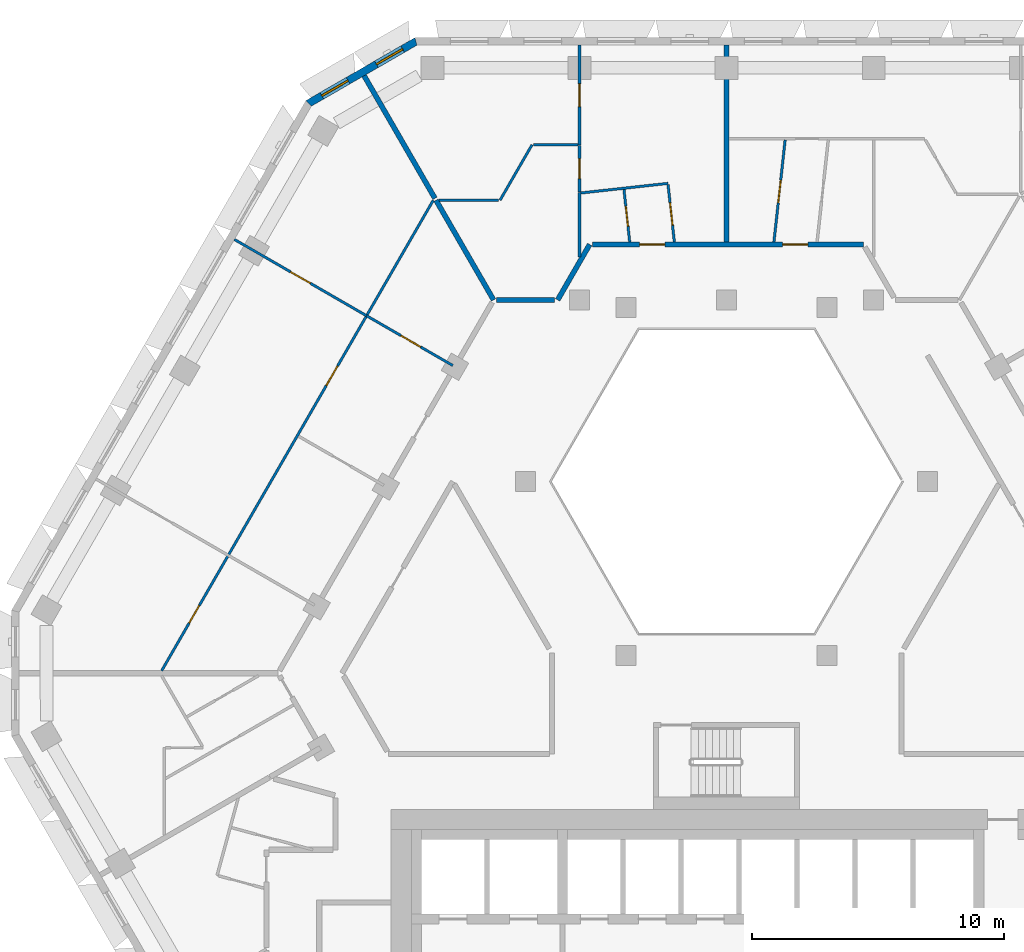
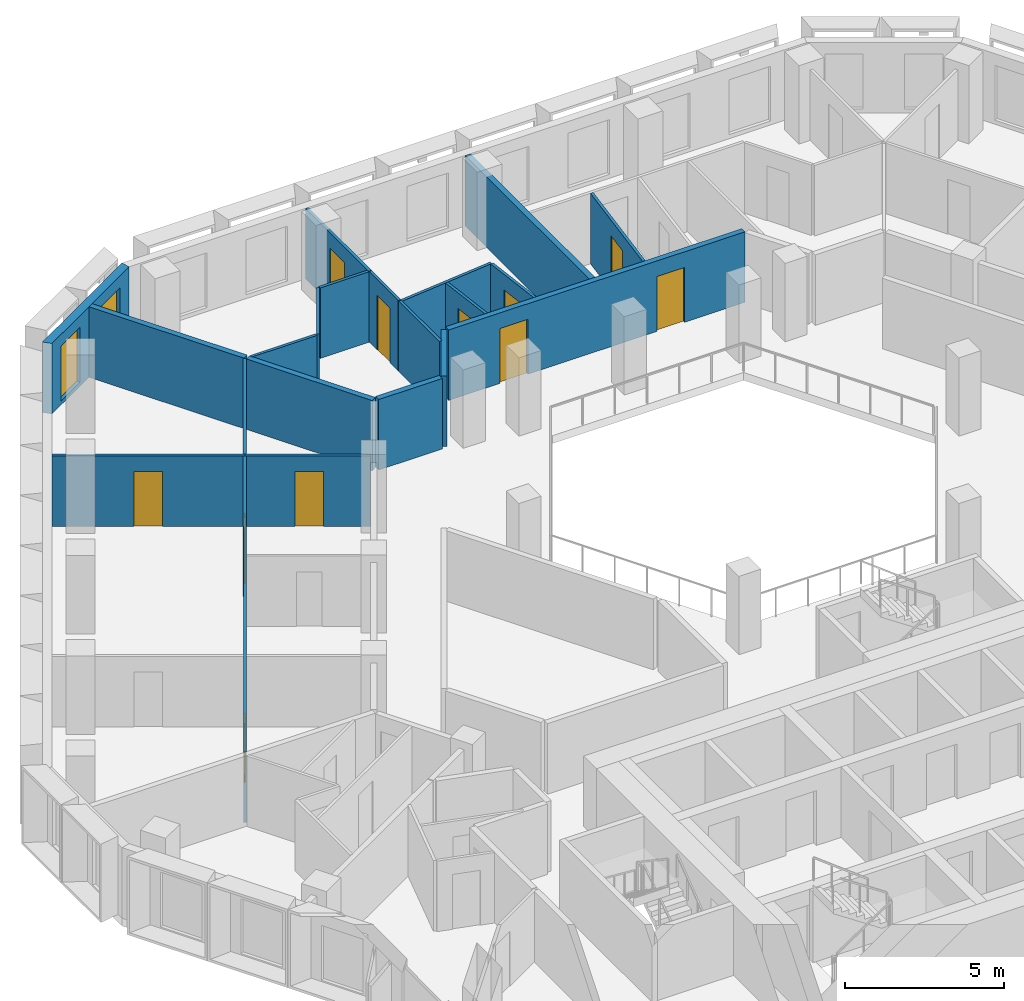
# One storey, part 8 of 18: 20 walls, 11 doors, 2 windows, 13 openings.
"""IFC4 building model written with IfcOpenShell, lengths in metres."""

from ifc_helpers import new_model, si_unit, direction, frame, frame_2d, origin, place, context, subcontext, project, spatial, polyline, rectangle, outline, extrude, material, layer, layer_set, type_object, element, fill, save


model = new_model("IFC4")

# Units and contexts
model_context = context("Model", 3, precision=1e-05, world=origin(), true_north=direction((0.0, 1.0)))
body_context = subcontext(model_context, "Body", "Model", "MODEL_VIEW")
ifc_project = project(units=[si_unit("LENGTHUNIT", "METRE"), si_unit("AREAUNIT", "SQUARE_METRE"), si_unit("VOLUMEUNIT", "CUBIC_METRE"), si_unit("PLANEANGLEUNIT", "RADIAN"), si_unit("MASSUNIT", "GRAM", prefix="KILO")], contexts=[model_context])

# Site, building, storey
site_placement = place(None, origin())
site = spatial("IfcSite", under=ifc_project, at=site_placement, CompositionType="ELEMENT")
building_placement = place(site_placement, origin())
building = spatial("IfcBuilding", under=site, at=building_placement, Name="Beryl Residences", CompositionType="ELEMENT")
storey_placement = place(building_placement, frame((0.0, 0.0, 138.60009765625)))
storey = spatial("IfcBuildingStorey", under=building, at=storey_placement, Name="L42", CompositionType="ELEMENT", Elevation=138.60009765625)

# Wall, openings, windows
ifc_material_1 = material(Name="Composite metal panel with mineral wool insulation")
ifc_layer_1 = layer(ifc_material_1, 0.300048828125)
ifc_layer_set_1 = layer_set([ifc_layer_1], Name="ES1 pale metal composite panel wall 300 mm")
wall_type_1 = type_object("IfcWallType", Name="ES1 pale metal composite panel wall 300 mm", PredefinedType="SOLIDWALL", material=ifc_layer_set_1)
wall_1_placement = place(storey_placement, frame((-12.280029296875, 25.469970703125, 0.0), z_axis=(0.0, 0.0, 1.0), x_axis=(-0.866022959057, -0.500004234368, 0.0)))
wall_1 = element("IfcWall", 1, at=wall_1_placement, inside=storey, type_object=wall_type_1, Name="ES1 external wall L42 N-NW", PredefinedType="SOLIDWALL", context=body_context, shape_type="SweptSolid", body=[
    extrude(outline(polyline([(0.0, -0.14990234375), (5.0, -0.14990234375), (4.919677734375, 0.14990234375), (0.080322265625, 0.14990234375), (0.0, -0.14990234375)])), origin(), (0.0, 0.0, 1.0), 2.699951171875),
])
opening_1_placement = place(wall_1_placement, frame((0.64990234375, 0.0, 0.14990234375)))
opening_1 = element("IfcOpeningElement", 2, at=opening_1_placement, cuts=wall_1, Name="Opening W2", PredefinedType="OPENING", context=body_context, shape_type="SweptSolid", body=[
    extrude(rectangle(XDim=1.199951171875, YDim=2.10009765625, at=frame_2d((0.60009765625, 1.050048828125))), frame((0.0, 0.159912109375, 0.0), z_axis=(0.0, -1.0, 0.0), x_axis=(1.0, 0.0, 0.0)), (0.0, 0.0, 1.0), 0.320068359375),
])
opening_2_placement = place(wall_1_placement, frame((3.14892578125, 0.0, 0.14990234375)))
opening_2 = element("IfcOpeningElement", 3, at=opening_2_placement, cuts=wall_1, Name="Opening W2", PredefinedType="OPENING", context=body_context, shape_type="SweptSolid", body=[
    extrude(rectangle(XDim=1.199951171875, YDim=2.10009765625, at=frame_2d((0.60009765625, 1.050048828125))), frame((0.0, 0.159912109375, 0.0), z_axis=(0.0, -1.0, 0.0), x_axis=(1.0, 0.0, 0.0)), (0.0, 0.0, 1.0), 0.320068359375),
])
ifc_material_2 = material(Name="Aluminium and clear glass", Category="aluminium")
window_type = type_object("IfcWindowType", Name="W2 chamfer window 1200 x 2100 mm", PartitioningType="SINGLE_PANEL", PredefinedType="WINDOW", material=ifc_material_2)
window_1_placement = place(opening_1_placement, origin())
window_1 = element("IfcWindow", 4, at=window_1_placement, inside=storey, type_object=window_type, Name="W2 window L42 N-NW 1", OverallHeight=2.10009765625, OverallWidth=1.199951171875, PartitioningType="SINGLE_PANEL", PredefinedType="WINDOW", context=body_context, shape_type="SweptSolid", body=[
    extrude(rectangle(XDim=1.199951171875, YDim=2.10009765625, at=frame_2d((0.60009765625, 1.050048828125))), frame((0.0, 0.030029296875, 0.0), z_axis=(0.0, -1.0, 0.0), x_axis=(1.0, 0.0, 0.0)), (0.0, 0.0, 1.0), 0.06005859375),
])
fill(opening_1, window_1)
window_2_placement = place(opening_2_placement, origin())
window_2 = element("IfcWindow", 5, at=window_2_placement, inside=storey, type_object=window_type, Name="W2 window L42 N-NW 2", OverallHeight=2.10009765625, OverallWidth=1.199951171875, PartitioningType="SINGLE_PANEL", PredefinedType="WINDOW", context=body_context, shape_type="SweptSolid", body=[
    extrude(rectangle(XDim=1.199951171875, YDim=2.10009765625, at=frame_2d((0.60009765625, 1.050048828125))), frame((0.0, 0.030029296875, 0.0), z_axis=(0.0, -1.0, 0.0), x_axis=(1.0, 0.0, 0.0)), (0.0, 0.0, 1.0), 0.06005859375),
])
fill(opening_2, window_2)

# Wall, opening, door
ifc_material_3 = material(Name="Gypsum board partition on steel studs", Category="steel")
ifc_layer_2 = layer(ifc_material_3, 0.10009765625)
ifc_layer_set_2 = layer_set([ifc_layer_2], Name="PT1 partition 100 mm gypsum board on steel studs")
wall_type_2 = type_object("IfcWallType", Name="PT1 partition 100 mm gypsum board on steel studs", PredefinedType="PARTITIONING", material=ifc_layer_set_2)
wall_2_placement = place(storey_placement, frame((-2.319091796875, 19.77001953125, 0.0), z_axis=(0.0, 0.0, 1.0), x_axis=(0.109046821538, -0.994036614372, 0.0)))
wall_2 = element("IfcWall", 6, at=wall_2_placement, inside=storey, type_object=wall_type_2, Name="Wall PT1 L42 005", PredefinedType="PARTITIONING", context=body_context, shape_type="SweptSolid", body=[
    extrude(rectangle(XDim=2.28369140625, YDim=0.10009765625, at=frame_2d((1.141845703125, 0.0))), origin(), (0.0, 0.0, 1.0), 2.699951171875),
])
opening_3_placement = place(wall_2_placement, frame((0.717041015625, 0.0, 0.0)))
opening_3 = element("IfcOpeningElement", 7, at=opening_3_placement, cuts=wall_2, Name="Opening D1139", PredefinedType="OPENING", context=body_context, shape_type="SweptSolid", body=[
    extrude(rectangle(XDim=0.89990234375, YDim=2.10009765625, at=frame_2d((0.449951171875, 1.050048828125))), frame((0.0, 0.06005859375, 0.0), z_axis=(0.0, -1.0, 0.0), x_axis=(1.0, 0.0, 0.0)), (0.0, 0.0, 1.0), 0.1201171875),
])
ifc_material_4 = material(Name="Timber door leaf", Category="wood")
door_type_1 = type_object("IfcDoorType", Name="D2 room door 900 x 2100 mm", OperationType="SINGLE_SWING_LEFT", PredefinedType="DOOR", material=ifc_material_4)
door_1_placement = place(opening_3_placement, origin())
door_1 = element("IfcDoor", 8, at=door_1_placement, inside=storey, type_object=door_type_1, Name="Door D1139 L42 001", OperationType="SINGLE_SWING_LEFT", OverallHeight=2.10009765625, OverallWidth=0.89990234375, PredefinedType="DOOR", context=body_context, shape_type="SweptSolid", body=[
    extrude(rectangle(XDim=0.89990234375, YDim=2.10009765625, at=frame_2d((0.449951171875, 1.050048828125))), frame((0.0, 0.02490234375, 0.0), z_axis=(0.0, -1.0, 0.0), x_axis=(1.0, 0.0, 0.0)), (0.0, 0.0, 1.0), 0.050048828125),
])
fill(opening_3, door_1)

wall_3_placement = place(storey_placement, frame((-4.068115234375, 19.5791015625, 0.0), z_axis=(0.0, 0.0, 1.0), x_axis=(0.109022161139, -0.994039319333, 0.0)))
wall_3 = element("IfcWall", 9, at=wall_3_placement, inside=storey, type_object=wall_type_2, Name="Wall PT1 L42 006", PredefinedType="PARTITIONING", context=body_context, shape_type="SweptSolid", body=[
    extrude(rectangle(XDim=2.091552734375, YDim=0.10009765625, at=frame_2d((1.0458984375, 0.0))), origin(), (0.0, 0.0, 1.0), 2.699951171875),
])
opening_4_placement = place(wall_3_placement, frame((0.6708984375, 0.0, 0.0)))
opening_4 = element("IfcOpeningElement", 10, at=opening_4_placement, cuts=wall_3, Name="Opening D1140", PredefinedType="OPENING", context=body_context, shape_type="SweptSolid", body=[
    extrude(rectangle(XDim=0.800048828125, YDim=2.10009765625, at=frame_2d((0.39990234375, 1.050048828125))), frame((0.0, 0.06005859375, 0.0), z_axis=(0.0, -1.0, 0.0), x_axis=(1.0, 0.0, 0.0)), (0.0, 0.0, 1.0), 0.1201171875),
])
ifc_material_5 = material(Name="Timber door leaf", Category="wood")
door_type_2 = type_object("IfcDoorType", Name="D3 bathroom door 800 x 2100 mm", OperationType="SINGLE_SWING_LEFT", PredefinedType="DOOR", material=ifc_material_5)
door_2_placement = place(opening_4_placement, origin())
door_2 = element("IfcDoor", 11, at=door_2_placement, inside=storey, type_object=door_type_2, Name="Door D1140 L42 001", OperationType="SINGLE_SWING_RIGHT", OverallHeight=2.10009765625, OverallWidth=0.800048828125, PredefinedType="DOOR", context=body_context, shape_type="SweptSolid", body=[
    extrude(rectangle(XDim=0.800048828125, YDim=2.10009765625, at=frame_2d((0.39990234375, 1.050048828125))), frame((0.0, 0.02490234375, 0.0), z_axis=(0.0, -1.0, 0.0), x_axis=(1.0, 0.0, 0.0)), (0.0, 0.0, 1.0), 0.050048828125),
])
fill(opening_4, door_2)

wall_4_placement = place(storey_placement, frame((-5.8310546875, 21.324951171875, 0.0), z_axis=(0.0, 0.0, 1.0), x_axis=(0.0, -1.0, 0.0)))
wall_4 = element("IfcWall", 12, at=wall_4_placement, inside=storey, type_object=wall_type_2, Name="Wall PT1 L42 007", PredefinedType="PARTITIONING", context=body_context, shape_type="SweptSolid", body=[
    extrude(rectangle(XDim=1.8388671875, YDim=0.10009765625, at=frame_2d((0.91943359375, 0.0))), origin(), (0.0, 0.0, 1.0), 2.699951171875),
])
opening_5_placement = place(wall_4_placement, frame((0.51904296875, 0.0, 0.0)))
opening_5 = element("IfcOpeningElement", 13, at=opening_5_placement, cuts=wall_4, Name="Opening D1142", PredefinedType="OPENING", context=body_context, shape_type="SweptSolid", body=[
    extrude(rectangle(XDim=0.800048828125, YDim=2.10009765625, at=frame_2d((0.39990234375, 1.050048828125))), frame((0.0, 0.06005859375, 0.0), z_axis=(0.0, -1.0, 0.0), x_axis=(1.0, 0.0, 0.0)), (0.0, 0.0, 1.0), 0.1201171875),
])
door_3_placement = place(opening_5_placement, origin())
door_3 = element("IfcDoor", 14, at=door_3_placement, inside=storey, type_object=door_type_2, Name="Door D1142 L42 001", OperationType="SINGLE_SWING_RIGHT", OverallHeight=2.10009765625, OverallWidth=0.800048828125, PredefinedType="DOOR", context=body_context, shape_type="SweptSolid", body=[
    extrude(rectangle(XDim=0.800048828125, YDim=2.10009765625, at=frame_2d((0.39990234375, 1.050048828125))), frame((0.0, 0.02490234375, 0.0), z_axis=(0.0, -1.0, 0.0), x_axis=(1.0, 0.0, 0.0)), (0.0, 0.0, 1.0), 0.050048828125),
])
fill(opening_5, door_3)

wall_5_placement = place(storey_placement, frame((-19.513916015625, 17.59912109375, 0.0), z_axis=(0.0, 0.0, 1.0), x_axis=(0.866007554612, -0.500030914399, 0.0)))
wall_5 = element("IfcWall", 15, at=wall_5_placement, inside=storey, type_object=wall_type_2, Name="Wall PT1 L42 017", PredefinedType="PARTITIONING", context=body_context, shape_type="SweptSolid", body=[
    extrude(rectangle(XDim=6.0517578125, YDim=0.10009765625, at=frame_2d((3.02587890625, 0.0))), origin(), (0.0, 0.0, 1.0), 2.699951171875),
])
opening_6_placement = place(wall_5_placement, frame((2.575927734375, 0.0, 0.0)))
opening_6 = element("IfcOpeningElement", 16, at=opening_6_placement, cuts=wall_5, Name="Opening D1148", PredefinedType="OPENING", context=body_context, shape_type="SweptSolid", body=[
    extrude(rectangle(XDim=0.89990234375, YDim=2.10009765625, at=frame_2d((0.449951171875, 1.050048828125))), frame((0.0, 0.06005859375, 0.0), z_axis=(0.0, -1.0, 0.0), x_axis=(1.0, 0.0, 0.0)), (0.0, 0.0, 1.0), 0.1201171875),
])
door_4_placement = place(opening_6_placement, origin())
door_4 = element("IfcDoor", 17, at=door_4_placement, inside=storey, type_object=door_type_1, Name="Door D1148 L42 001", OperationType="SINGLE_SWING_RIGHT", OverallHeight=2.10009765625, OverallWidth=0.89990234375, PredefinedType="DOOR", context=body_context, shape_type="SweptSolid", body=[
    extrude(rectangle(XDim=0.89990234375, YDim=2.10009765625, at=frame_2d((0.449951171875, 1.050048828125))), frame((0.0, 0.02490234375, 0.0), z_axis=(0.0, -1.0, 0.0), x_axis=(1.0, 0.0, 0.0)), (0.0, 0.0, 1.0), 0.050048828125),
])
fill(opening_6, door_4)

# Walls
wall_6_placement = place(storey_placement, frame((-11.405029296875, 19.155029296875, 0.0), z_axis=(0.0, 0.0, 1.0), x_axis=(1.0, 0.0, 0.0)))
element("IfcWall", 18, at=wall_6_placement, inside=storey, type_object=wall_type_2, Name="Wall PT1 L42 025", PredefinedType="PARTITIONING", context=body_context, shape_type="SweptSolid", body=[
    extrude(rectangle(XDim=2.366943359375, YDim=0.10009765625, at=frame_2d((1.18359375, 0.0))), origin(), (0.0, 0.0, 1.0), 2.699951171875),
])
wall_7_placement = place(storey_placement, frame((-7.652099609375, 21.35498046875, 0.0), z_axis=(0.0, 0.0, 1.0), x_axis=(1.0, 0.0, 0.0)))
element("IfcWall", 19, at=wall_7_placement, inside=storey, type_object=wall_type_2, Name="Wall PT1 L42 027", PredefinedType="PARTITIONING", context=body_context, shape_type="SweptSolid", body=[
    extrude(rectangle(XDim=1.77099609375, YDim=0.10009765625, at=frame_2d((0.885498046875, 0.0))), origin(), (0.0, 0.0, 1.0), 2.699951171875),
])
wall_8_placement = place(storey_placement, frame((-8.98095703125, 19.155029296875, 0.0), z_axis=(0.0, 0.0, 1.0), x_axis=(0.500130227609, 0.865950203783, 0.0)))
element("IfcWall", 20, at=wall_8_placement, inside=storey, type_object=wall_type_2, Name="Wall PT1 L42 032", PredefinedType="PARTITIONING", context=body_context, shape_type="SweptSolid", body=[
    extrude(rectangle(XDim=2.539306640625, YDim=0.10009765625, at=frame_2d((1.26953125, 0.0))), origin(), (0.0, 0.0, 1.0), 2.699951171875),
])

# Wall, openings, doors
wall_9_placement = place(storey_placement, frame((-22.39794921875, 0.4990234375, 0.0), z_axis=(0.0, 0.0, 1.0), x_axis=(0.499981561717, 0.866036048871, 0.0)))
wall_9 = element("IfcWall", 21, at=wall_9_placement, inside=storey, type_object=wall_type_2, Name="Wall PT1 L42 033", PredefinedType="PARTITIONING", context=body_context, shape_type="SweptSolid", body=[
    extrude(rectangle(XDim=21.532470703125, YDim=0.10009765625, at=frame_2d((10.76611328125, 0.0))), origin(), (0.0, 0.0, 1.0), 2.699951171875),
])
opening_7_placement = place(wall_9_placement, frame((13.049072265625, 0.0, 0.0)))
opening_7 = element("IfcOpeningElement", 22, at=opening_7_placement, cuts=wall_9, Name="Opening D1144", PredefinedType="OPENING", context=body_context, shape_type="SweptSolid", body=[
    extrude(rectangle(XDim=0.89990234375, YDim=2.10009765625, at=frame_2d((0.449951171875, 1.050048828125))), frame((0.0, 0.06005859375, 0.0), z_axis=(0.0, -1.0, 0.0), x_axis=(1.0, 0.0, 0.0)), (0.0, 0.0, 1.0), 0.1201171875),
])
opening_8_placement = place(wall_9_placement, frame((2.18310546875, 0.0, 0.0)))
opening_8 = element("IfcOpeningElement", 23, at=opening_8_placement, cuts=wall_9, Name="Opening D1149", PredefinedType="OPENING", context=body_context, shape_type="SweptSolid", body=[
    extrude(rectangle(XDim=0.800048828125, YDim=2.10009765625, at=frame_2d((0.39990234375, 1.050048828125))), frame((0.0, 0.06005859375, 0.0), z_axis=(0.0, -1.0, 0.0), x_axis=(1.0, 0.0, 0.0)), (0.0, 0.0, 1.0), 0.1201171875),
])
door_5_placement = place(opening_7_placement, origin())
door_5 = element("IfcDoor", 24, at=door_5_placement, inside=storey, type_object=door_type_1, Name="Door D1144 L42 001", OperationType="SINGLE_SWING_RIGHT", OverallHeight=2.10009765625, OverallWidth=0.89990234375, PredefinedType="DOOR", context=body_context, shape_type="SweptSolid", body=[
    extrude(rectangle(XDim=0.89990234375, YDim=2.10009765625, at=frame_2d((0.449951171875, 1.050048828125))), frame((0.0, 0.02490234375, 0.0), z_axis=(0.0, -1.0, 0.0), x_axis=(1.0, 0.0, 0.0)), (0.0, 0.0, 1.0), 0.050048828125),
])
fill(opening_7, door_5)
door_6_placement = place(opening_8_placement, origin())
door_6 = element("IfcDoor", 25, at=door_6_placement, inside=storey, type_object=door_type_2, Name="Door D1149 L42 001", OperationType="SINGLE_SWING_LEFT", OverallHeight=2.10009765625, OverallWidth=0.800048828125, PredefinedType="DOOR", context=body_context, shape_type="SweptSolid", body=[
    extrude(rectangle(XDim=0.800048828125, YDim=2.10009765625, at=frame_2d((0.39990234375, 1.050048828125))), frame((0.0, 0.02490234375, 0.0), z_axis=(0.0, -1.0, 0.0), x_axis=(1.0, 0.0, 0.0)), (0.0, 0.0, 1.0), 0.050048828125),
])
fill(opening_8, door_6)

# Wall
wall_10_placement = place(storey_placement, frame((-5.781005859375, 19.44091796875, 0.0), z_axis=(0.0, 0.0, 1.0), x_axis=(0.994005576935, 0.109329378588, 0.0)))
element("IfcWall", 26, at=wall_10_placement, inside=storey, type_object=wall_type_2, Name="Wall PT1 L42 034", PredefinedType="PARTITIONING", context=body_context, shape_type="SweptSolid", body=[
    extrude(rectangle(XDim=3.476806640625, YDim=0.10009765625, at=frame_2d((1.73828125, 0.0))), origin(), (0.0, 0.0, 1.0), 2.699951171875),
])

# Wall, opening, door
wall_11_placement = place(storey_placement, frame((1.87890625, 17.5, 0.0), z_axis=(0.0, 0.0, 1.0), x_axis=(0.10923450369, 0.994016007519, 0.0)))
wall_11 = element("IfcWall", 27, at=wall_11_placement, inside=storey, type_object=wall_type_2, Name="Wall PT1 L42 037", PredefinedType="PARTITIONING", context=body_context, shape_type="SweptSolid", body=[
    extrude(rectangle(XDim=4.074462890625, YDim=0.10009765625, at=frame_2d((2.037109375, 0.0))), origin(), (0.0, 0.0, 1.0), 2.699951171875),
])
opening_9_placement = place(wall_11_placement, frame((1.56201171875, 0.0, 0.0)))
opening_9 = element("IfcOpeningElement", 28, at=opening_9_placement, cuts=wall_11, Name="Opening D1132", PredefinedType="OPENING", context=body_context, shape_type="SweptSolid", body=[
    extrude(rectangle(XDim=0.89990234375, YDim=2.10009765625, at=frame_2d((0.449951171875, 1.050048828125))), frame((0.0, 0.06005859375, 0.0), z_axis=(0.0, -1.0, 0.0), x_axis=(1.0, 0.0, 0.0)), (0.0, 0.0, 1.0), 0.1201171875),
])
door_7_placement = place(opening_9_placement, origin())
door_7 = element("IfcDoor", 29, at=door_7_placement, inside=storey, type_object=door_type_1, Name="Door D1132 L42 001", OperationType="SINGLE_SWING_RIGHT", OverallHeight=2.10009765625, OverallWidth=0.89990234375, PredefinedType="DOOR", context=body_context, shape_type="SweptSolid", body=[
    extrude(rectangle(XDim=0.89990234375, YDim=2.10009765625, at=frame_2d((0.449951171875, 1.050048828125))), frame((0.0, 0.02490234375, 0.0), z_axis=(0.0, -1.0, 0.0), x_axis=(1.0, 0.0, 0.0)), (0.0, 0.0, 1.0), 0.050048828125),
])
fill(opening_9, door_7)

# Wall
wall_12_placement = place(storey_placement, frame((-5.8310546875, 16.903076171875, 0.0), z_axis=(0.0, 0.0, 1.0), x_axis=(0.0, 1.0, 0.0)))
element("IfcWall", 30, at=wall_12_placement, inside=storey, type_object=wall_type_2, Name="Wall PT1 L42 045", PredefinedType="PARTITIONING", context=body_context, shape_type="SweptSolid", body=[
    extrude(rectangle(XDim=2.552978515625, YDim=0.10009765625, at=frame_2d((1.2763671875, 0.0))), origin(), (0.0, 0.0, 1.0), 2.699951171875),
])

# Wall, opening, door
wall_13_placement = place(storey_placement, frame((-5.8310546875, 21.3349609375, 0.0), z_axis=(0.0, 0.0, 1.0), x_axis=(0.0, 1.0, 0.0)))
wall_13 = element("IfcWall", 31, at=wall_13_placement, inside=storey, type_object=wall_type_2, Name="Wall PT1 L42 046", PredefinedType="PARTITIONING", context=body_context, shape_type="SweptSolid", body=[
    extrude(rectangle(XDim=3.965087890625, YDim=0.10009765625, at=frame_2d((1.982421875, 0.0))), origin(), (0.0, 0.0, 1.0), 2.699951171875),
])
opening_10_placement = place(wall_13_placement, frame((1.532958984375, 0.0, 0.0)))
opening_10 = element("IfcOpeningElement", 32, at=opening_10_placement, cuts=wall_13, Name="Opening D1141", PredefinedType="OPENING", context=body_context, shape_type="SweptSolid", body=[
    extrude(rectangle(XDim=0.89990234375, YDim=2.10009765625, at=frame_2d((0.449951171875, 1.050048828125))), frame((0.0, 0.06005859375, 0.0), z_axis=(0.0, -1.0, 0.0), x_axis=(1.0, 0.0, 0.0)), (0.0, 0.0, 1.0), 0.1201171875),
])
door_8_placement = place(opening_10_placement, origin())
door_8 = element("IfcDoor", 33, at=door_8_placement, inside=storey, type_object=door_type_1, Name="Door D1141 L42 001", OperationType="SINGLE_SWING_LEFT", OverallHeight=2.10009765625, OverallWidth=0.89990234375, PredefinedType="DOOR", context=body_context, shape_type="SweptSolid", body=[
    extrude(rectangle(XDim=0.89990234375, YDim=2.10009765625, at=frame_2d((0.449951171875, 1.050048828125))), frame((0.0, 0.02490234375, 0.0), z_axis=(0.0, -1.0, 0.0), x_axis=(1.0, 0.0, 0.0)), (0.0, 0.0, 1.0), 0.050048828125),
])
fill(opening_10, door_8)

wall_14_placement = place(storey_placement, frame((-14.27294921875, 14.572998046875, 0.0), z_axis=(0.0, 0.0, 1.0), x_axis=(0.866138216955, -0.499804550929, 0.0)))
wall_14 = element("IfcWall", 34, at=wall_14_placement, inside=storey, type_object=wall_type_2, Name="Wall PT1 L42 061", PredefinedType="PARTITIONING", context=body_context, shape_type="SweptSolid", body=[
    extrude(rectangle(XDim=3.947265625, YDim=0.10009765625, at=frame_2d((1.9736328125, 0.0))), origin(), (0.0, 0.0, 1.0), 2.699951171875),
])
opening_11_placement = place(wall_14_placement, frame((1.573974609375, 0.0, 0.0)))
opening_11 = element("IfcOpeningElement", 35, at=opening_11_placement, cuts=wall_14, Name="Opening D1145", PredefinedType="OPENING", context=body_context, shape_type="SweptSolid", body=[
    extrude(rectangle(XDim=0.89990234375, YDim=2.10009765625, at=frame_2d((0.449951171875, 1.050048828125))), frame((0.0, 0.06005859375, 0.0), z_axis=(0.0, -1.0, 0.0), x_axis=(1.0, 0.0, 0.0)), (0.0, 0.0, 1.0), 0.1201171875),
])
door_9_placement = place(opening_11_placement, origin())
door_9 = element("IfcDoor", 36, at=door_9_placement, inside=storey, type_object=door_type_1, Name="Door D1145 L42 001", OperationType="SINGLE_SWING_LEFT", OverallHeight=2.10009765625, OverallWidth=0.89990234375, PredefinedType="DOOR", context=body_context, shape_type="SweptSolid", body=[
    extrude(rectangle(XDim=0.89990234375, YDim=2.10009765625, at=frame_2d((0.449951171875, 1.050048828125))), frame((0.0, 0.02490234375, 0.0), z_axis=(0.0, -1.0, 0.0), x_axis=(1.0, 0.0, 0.0)), (0.0, 0.0, 1.0), 0.050048828125),
])
fill(opening_11, door_9)

# Walls
ifc_material_6 = material(Name="Acoustic double stud gypsum board wall")
ifc_layer_3 = layer(ifc_material_6, 0.199951171875)
ifc_layer_set_3 = layer_set([ifc_layer_3], Name="PT3 party wall 200 mm acoustic double stud")
wall_type_3 = type_object("IfcWallType", Name="PT3 party wall 200 mm acoustic double stud", PredefinedType="PARTITIONING", material=ifc_layer_set_3)
wall_15_placement = place(storey_placement, frame((-14.3701171875, 24.090087890625, 0.0), z_axis=(0.0, 0.0, 1.0), x_axis=(0.500057386422, -0.865992269183, 0.0)))
element("IfcWall", 37, at=wall_15_placement, inside=storey, type_object=wall_type_3, Name="Wall PT3 L42 001", PredefinedType="PARTITIONING", context=body_context, shape_type="SweptSolid", body=[
    extrude(rectangle(XDim=5.615478515625, YDim=0.199951171875, at=frame_2d((2.8076171875, 0.0))), origin(), (0.0, 0.0, 1.0), 2.699951171875),
])
wall_16_placement = place(storey_placement, frame((-11.52001953125, 19.155029296875, 0.0), z_axis=(0.0, 0.0, 1.0), x_axis=(0.499916824138, -0.866073420066, 0.0)))
element("IfcWall", 38, at=wall_16_placement, inside=storey, type_object=wall_type_3, Name="Wall PT3 L42 002", PredefinedType="PARTITIONING", context=body_context, shape_type="SweptSolid", body=[
    extrude(rectangle(XDim=4.566650390625, YDim=0.199951171875, at=frame_2d((2.283203125, 0.0))), origin(), (0.0, 0.0, 1.0), 2.699951171875),
])
wall_17_placement = place(storey_placement, frame((0.0, 17.5, 0.0), z_axis=(0.0, 0.0, 1.0), x_axis=(0.0, 1.0, 0.0)))
element("IfcWall", 39, at=wall_17_placement, inside=storey, type_object=wall_type_3, Name="Wall PT3 L42 008", PredefinedType="PARTITIONING", context=body_context, shape_type="SweptSolid", body=[
    extrude(rectangle(XDim=7.800048828125, YDim=0.199951171875, at=frame_2d((3.89990234375, 0.0))), origin(), (0.0, 0.0, 1.0), 2.699951171875),
])
ifc_material_7 = material(Name="Double stud gypsum board wall")
ifc_layer_4 = layer(ifc_material_7, 0.199951171875)
ifc_layer_set_4 = layer_set([ifc_layer_4], Name="PT4 corridor wall 200 mm double stud")
wall_type_4 = type_object("IfcWallType", Name="PT4 corridor wall 200 mm double stud", PredefinedType="PARTITIONING", material=ifc_layer_set_4)
wall_18_placement = place(storey_placement, frame((-9.12109375, 15.199951171875, 0.0), z_axis=(0.0, 0.0, 1.0), x_axis=(1.0, 0.0, 0.0)))
element("IfcWall", 40, at=wall_18_placement, inside=storey, type_object=wall_type_4, Name="Wall PT4 L42 015", PredefinedType="PARTITIONING", context=body_context, shape_type="SweptSolid", body=[
    extrude(rectangle(XDim=2.30810546875, YDim=0.199951171875, at=frame_2d((1.154052734375, 0.0))), origin(), (0.0, 0.0, 1.0), 2.699951171875),
])

# Wall, openings, doors
wall_19_placement = place(storey_placement, frame((-5.31201171875, 17.39990234375, 0.0), z_axis=(0.0, 0.0, 1.0), x_axis=(1.0, 0.0, 0.0)))
wall_19 = element("IfcWall", 41, at=wall_19_placement, inside=storey, type_object=wall_type_4, Name="Wall PT4 L42 017", PredefinedType="PARTITIONING", context=body_context, shape_type="SweptSolid", body=[
    extrude(rectangle(XDim=10.739013671875, YDim=0.199951171875, at=frame_2d((5.36962890625, 0.0))), origin(), (0.0, 0.0, 1.0), 2.699951171875),
])
opening_12_placement = place(wall_19_placement, frame((7.5380859375, 0.0, 0.0)))
opening_12 = element("IfcOpeningElement", 42, at=opening_12_placement, cuts=wall_19, Name="Opening D1130", PredefinedType="OPENING", context=body_context, shape_type="SweptSolid", body=[
    extrude(rectangle(XDim=1.0, YDim=2.10009765625, at=frame_2d((0.5, 1.050048828125))), frame((0.0, 0.10986328125, 0.0), z_axis=(0.0, -1.0, 0.0), x_axis=(1.0, 0.0, 0.0)), (0.0, 0.0, 1.0), 0.219970703125),
])
opening_13_placement = place(wall_19_placement, frame((1.864013671875, 0.0, 0.0)))
opening_13 = element("IfcOpeningElement", 43, at=opening_13_placement, cuts=wall_19, Name="Opening D1138", PredefinedType="OPENING", context=body_context, shape_type="SweptSolid", body=[
    extrude(rectangle(XDim=1.0, YDim=2.10009765625, at=frame_2d((0.5, 1.050048828125))), frame((0.0, 0.10986328125, 0.0), z_axis=(0.0, -1.0, 0.0), x_axis=(1.0, 0.0, 0.0)), (0.0, 0.0, 1.0), 0.219970703125),
])
ifc_material_8 = material(Name="Timber door leaf", Category="wood")
door_type_3 = type_object("IfcDoorType", Name="D1 flat entrance door 1000 x 2100 mm", OperationType="SINGLE_SWING_LEFT", PredefinedType="DOOR", material=ifc_material_8)
door_10_placement = place(opening_12_placement, origin())
door_10 = element("IfcDoor", 44, at=door_10_placement, inside=storey, type_object=door_type_3, Name="Door D1130 L42 001", OperationType="SINGLE_SWING_RIGHT", OverallHeight=2.10009765625, OverallWidth=1.0, PredefinedType="DOOR", context=body_context, shape_type="SweptSolid", body=[
    extrude(rectangle(XDim=1.0, YDim=2.10009765625, at=frame_2d((0.5, 1.050048828125))), frame((0.0, 0.02490234375, 0.0), z_axis=(0.0, -1.0, 0.0), x_axis=(1.0, 0.0, 0.0)), (0.0, 0.0, 1.0), 0.050048828125),
])
fill(opening_12, door_10)
door_11_placement = place(opening_13_placement, origin())
door_11 = element("IfcDoor", 45, at=door_11_placement, inside=storey, type_object=door_type_3, Name="Door D1138 L42 001", OperationType="SINGLE_SWING_RIGHT", OverallHeight=2.10009765625, OverallWidth=1.0, PredefinedType="DOOR", context=body_context, shape_type="SweptSolid", body=[
    extrude(rectangle(XDim=1.0, YDim=2.10009765625, at=frame_2d((0.5, 1.050048828125))), frame((0.0, 0.02490234375, 0.0), z_axis=(0.0, -1.0, 0.0), x_axis=(1.0, 0.0, 0.0)), (0.0, 0.0, 1.0), 0.050048828125),
])
fill(opening_13, door_11)

# Wall
wall_20_placement = place(storey_placement, frame((-6.697021484375, 15.199951171875, 0.0), z_axis=(0.0, 0.0, 1.0), x_axis=(0.499963722229, 0.866046347752, 0.0)))
element("IfcWall", 46, at=wall_20_placement, inside=storey, type_object=wall_type_4, Name="Wall PT4 L42 022", PredefinedType="PARTITIONING", context=body_context, shape_type="SweptSolid", body=[
    extrude(rectangle(XDim=2.540283203125, YDim=0.199951171875, at=frame_2d((1.27001953125, 0.0))), origin(), (0.0, 0.0, 1.0), 2.699951171875),
])

save(model, "model.ifc")
